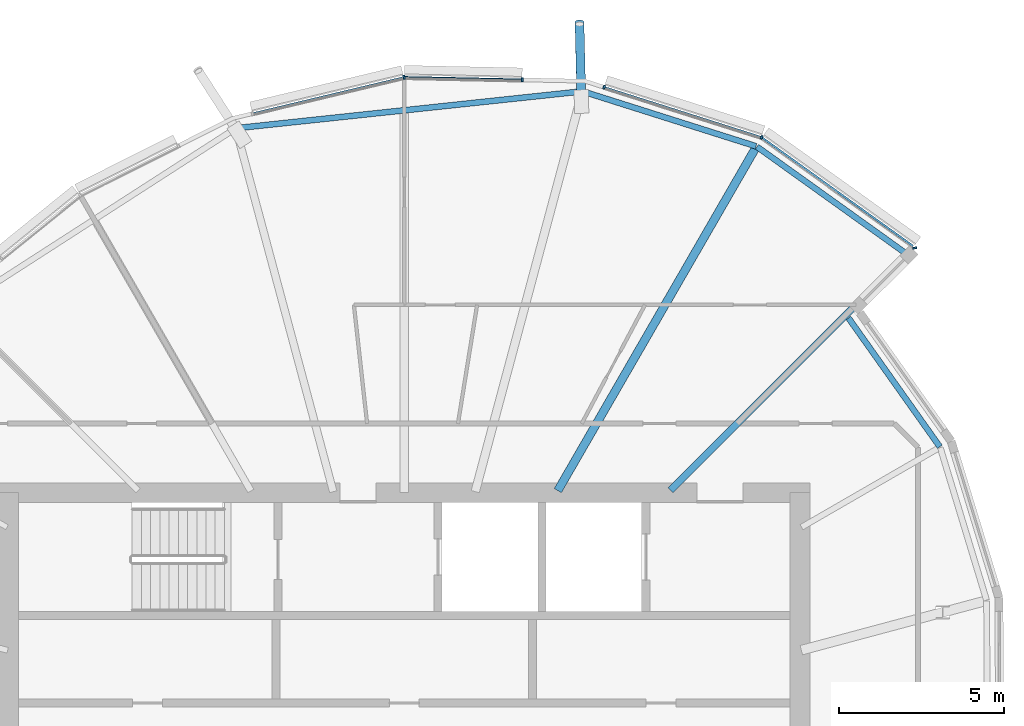
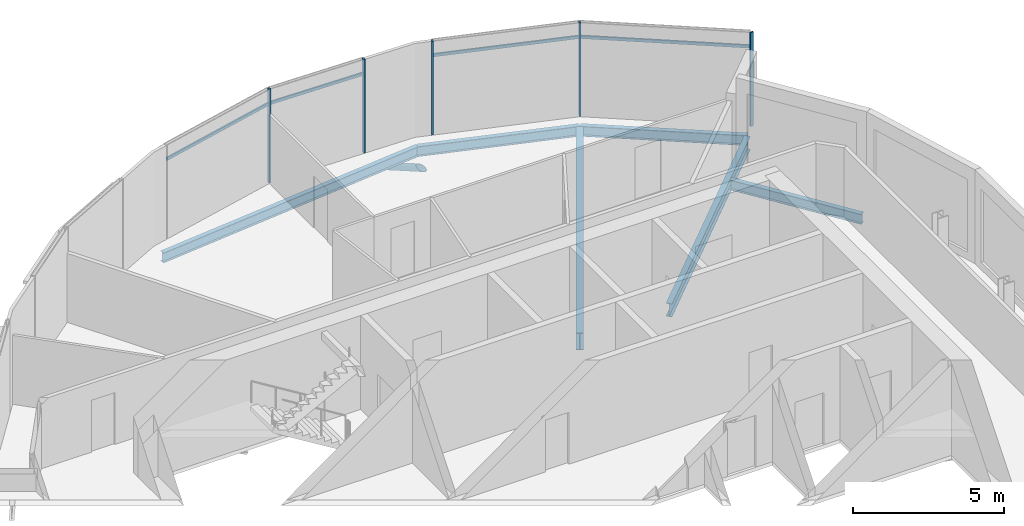
# One storey, part 17 of 38: 10 members, 6 beams, 1 element without a shape of its own.
"""IFC4 building model written with IfcOpenShell, lengths in metres."""

from ifc_helpers import new_model, si_unit, direction, frame, origin, origin_2d, place, context, subcontext, project, spatial, rectangle, hollow_circle, i_section, extrude, clip, halfspace, material, material_profile, profile_set, type_object, element, aggregate, save


model = new_model("IFC4")

# Units and contexts
model_context = context("Model", 3, precision=1e-05, world=origin(), true_north=direction((0.0, 1.0)))
body_context = subcontext(model_context, "Body", "Model", "MODEL_VIEW")
ifc_project = project(units=[si_unit("LENGTHUNIT", "METRE"), si_unit("AREAUNIT", "SQUARE_METRE"), si_unit("VOLUMEUNIT", "CUBIC_METRE"), si_unit("PLANEANGLEUNIT", "RADIAN"), si_unit("MASSUNIT", "GRAM", prefix="KILO")], contexts=[model_context])

# Site, building, storey
site_placement = place(None, origin())
site = spatial("IfcSite", under=ifc_project, at=site_placement, CompositionType="ELEMENT")
building_placement = place(site_placement, origin())
building = spatial("IfcBuilding", under=site, at=building_placement, Name="Rimbun Link Towers", CompositionType="ELEMENT")
storey_placement = place(building_placement, frame((0.0, 0.0, 185.5)))
storey = spatial("IfcBuildingStorey", under=building, at=storey_placement, Name="L45", CompositionType="ELEMENT", Elevation=185.5)

# Curtain wall, members
ifc_material_1 = material(Name="Aluminium 6063-T6 and low-iron glass", Category="aluminium")
curtain_wall_type = type_object("IfcCurtainWallType", Name="CW1-Z3 unitised vision wall (zone 3)", PredefinedType="NOTDEFINED", material=ifc_material_1)
curtain_wall_placement = place(storey_placement, origin())
curtain_wall = element("IfcCurtainWall", 1, at=curtain_wall_placement, inside=storey, type_object=curtain_wall_type, Name="CW1 L45 T2", PredefinedType="NOTDEFINED")
ifc_material_2 = material(Name="Aluminium 6063-T6", Category="aluminium")
ifc_material_profile_1 = material_profile(ifc_material_2, rectangle(XDim=0.1201171875, YDim=0.06005859375, at=origin_2d()), Name="MULLION 60X120")
ifc_profile_set_1 = profile_set([ifc_material_profile_1], Name="Aluminium 6063-T6")
member_type_1 = type_object("IfcMemberType", Name="CW1 mullion 60X120", PredefinedType="MULLION", material=ifc_profile_set_1)
member_1_placement = place(storey_placement, frame((42.585693359375, 18.775146484375, 0.0), z_axis=(0.0, 0.0, 1.0), x_axis=(0.448570265211, 0.893747569042, 0.0)))
member_1 = element("IfcMember", 2, at=member_1_placement, type_object=member_type_1, Name="CW1 mullion", PredefinedType="MULLION", context=body_context, shape_type="SweptSolid", body=[
    extrude(rectangle(XDim=0.1201171875, YDim=0.06005859375, at=origin_2d()), origin(), (0.0, 0.0, 1.0), 3.800048828125),
])
member_2_placement = place(storey_placement, frame((47.225341796875, 15.42041015625, 0.0), z_axis=(0.0, 0.0, 1.0), x_axis=(0.996682210404, 0.081391470465, 0.0)))
member_2 = element("IfcMember", 3, at=member_2_placement, type_object=member_type_1, Name="CW1 mullion", PredefinedType="MULLION", context=body_context, shape_type="SweptSolid", body=[
    extrude(rectangle(XDim=0.1201171875, YDim=0.06005859375, at=origin_2d()), origin(), (0.0, 0.0, 1.0), 3.800048828125),
])
member_3_placement = place(storey_placement, frame((37.811279296875, 20.294189453125, 0.0), z_axis=(0.0, 0.0, 1.0), x_axis=(0.303053318374, 0.95297360206, 0.0)))
member_3 = element("IfcMember", 4, at=member_3_placement, type_object=member_type_1, Name="CW1 mullion", PredefinedType="MULLION", context=body_context, shape_type="SweptSolid", body=[
    extrude(rectangle(XDim=0.1201171875, YDim=0.06005859375, at=origin_2d()), origin(), (0.0, 0.0, 1.0), 3.800048828125),
])
member_4_placement = place(storey_placement, frame((31.74365234375, 20.59375, 0.0), z_axis=(0.0, 0.0, 1.0), x_axis=(-0.10663447407, 0.99429828972, 0.0)))
member_4 = element("IfcMember", 5, at=member_4_placement, type_object=member_type_1, Name="CW1 mullion", PredefinedType="MULLION", context=body_context, shape_type="SweptSolid", body=[
    extrude(rectangle(XDim=0.1201171875, YDim=0.06005859375, at=origin_2d()), origin(), (0.0, 0.0, 1.0), 3.800048828125),
])
member_5_placement = place(storey_placement, frame((35.322998046875, 20.518798828125, 0.0), z_axis=(0.0, 0.0, 1.0), x_axis=(0.02106930936, 0.999778017463, 0.0)))
member_5 = element("IfcMember", 6, at=member_5_placement, type_object=member_type_1, Name="CW1 mullion", PredefinedType="MULLION", context=body_context, shape_type="SweptSolid", body=[
    extrude(rectangle(XDim=0.1201171875, YDim=0.06005859375, at=origin_2d()), origin(), (0.0, 0.0, 1.0), 3.800048828125),
])
ifc_material_3 = material(Name="Aluminium 6063-T6", Category="aluminium")
ifc_material_profile_2 = material_profile(ifc_material_3, rectangle(XDim=0.06005859375, YDim=0.1201171875, at=origin_2d()), Name="TRANSOM 60X120")
ifc_profile_set_2 = profile_set([ifc_material_profile_2], Name="Aluminium 6063-T6")
member_type_2 = type_object("IfcMemberType", Name="CW1 transom 60X120", PredefinedType="USERDEFINED", material=ifc_profile_set_2)
member_6_placement = place(storey_placement, frame((42.616943359375, 18.7509765625, 3.199951171875), z_axis=(0.812470137953, -0.583002808685, 0.0), x_axis=(0.583002808685, 0.812470137953, 0.0)))
member_6 = element("IfcMember", 7, at=member_6_placement, type_object=member_type_2, Name="CW1 transom", ObjectType="TRANSOM", PredefinedType="USERDEFINED", context=body_context, shape_type="SweptSolid", body=[
    extrude(rectangle(XDim=0.06005859375, YDim=0.1201171875, at=origin_2d()), origin(), (0.0, 0.0, 1.0), 5.610107421875),
])
member_7_placement = place(storey_placement, frame((37.839111328125, 20.283203125, 3.199951171875), z_axis=(0.952965355293, -0.303079249721, 0.0), x_axis=(0.303079249721, 0.952965355293, 0.0)))
member_7 = element("IfcMember", 8, at=member_7_placement, type_object=member_type_2, Name="CW1 transom", ObjectType="TRANSOM", PredefinedType="USERDEFINED", context=body_context, shape_type="SweptSolid", body=[
    extrude(rectangle(XDim=0.06005859375, YDim=0.1201171875, at=origin_2d()), origin(), (0.0, 0.0, 1.0), 4.941162109375),
])
member_8_placement = place(storey_placement, frame((31.78125, 20.591552734375, 3.199951171875), z_axis=(0.999776739259, -0.021129875468, 0.0), x_axis=(0.021129875468, 0.999776739259, 0.0)))
member_8 = element("IfcMember", 9, at=member_8_placement, type_object=member_type_2, Name="CW1 transom", ObjectType="TRANSOM", PredefinedType="USERDEFINED", context=body_context, shape_type="SweptSolid", body=[
    extrude(rectangle(XDim=0.06005859375, YDim=0.1201171875, at=origin_2d()), origin(), (0.0, 0.0, 1.0), 3.512451171875),
])
member_9_placement = place(storey_placement, frame((27.178466796875, 19.50048828125, 3.199951171875), z_axis=(0.972577344747, 0.232579682011, 0.0), x_axis=(-0.232579682011, 0.972577344747, 0.0)))
member_9 = element("IfcMember", 10, at=member_9_placement, type_object=member_type_2, Name="CW1 transom", ObjectType="TRANSOM", PredefinedType="USERDEFINED", context=body_context, shape_type="SweptSolid", body=[
    extrude(rectangle(XDim=0.06005859375, YDim=0.1201171875, at=origin_2d()), origin(), (0.0, 0.0, 1.0), 4.656494140625),
])
aggregate(curtain_wall, [member_1, member_2, member_3, member_4, member_5, member_6, member_7, member_8, member_9])

# Member
ifc_material_4 = material(Name="Steel S355J2H", Category="steel")
ifc_material_profile_3 = material_profile(ifc_material_4, hollow_circle(Radius=0.136474609375, WallThickness=0.012451171875, at=origin_2d()), Name="CHS 273x12.5")
ifc_profile_set_3 = profile_set([ifc_material_profile_3], Name="Steel S355J2H")
member_type_3 = type_object("IfcMemberType", Name="Floor edge link CHS 273x12.5", PredefinedType="BRACE", material=ifc_profile_set_3)
member_10_placement = place(storey_placement, frame((37.118408203125, 20.034912109375, -0.951904296875), z_axis=(-0.021425173015, 0.870052470377, -0.492493310363), x_axis=(-0.999696938807, -0.02461768756, 0.0)))
element("IfcMember", 11, at=member_10_placement, inside=storey, type_object=member_type_3, Name="Floor edge link T2 L45 02", PredefinedType="BRACE", context=body_context, shape_type="Clipping", body=[
    clip(extrude(hollow_circle(Radius=0.136474609375, WallThickness=0.012451171875, at=origin_2d()), frame((0.0, 0.0, -0.502685546875)), (0.0, 0.0, 1.0), 3.066650390625), halfspace(frame((0.0, 0.0, -0.236328125), z_axis=(0.0, 0.870316229452, -0.492493310363)), False)),
])

# Beams
ifc_material_5 = material(Name="Steel S355J2", Category="steel")
ifc_material_profile_4 = material_profile(ifc_material_5, i_section(OverallWidth=0.177978515625, OverallDepth=0.406494140625, WebThickness=0.0078125, FlangeThickness=0.0126953125, at=origin_2d()), Name="UB 406x178x60")
ifc_profile_set_4 = profile_set([ifc_material_profile_4], Name="Steel S355J2")
beam_type_1 = type_object("IfcBeamType", Name="UB 406x178x60", PredefinedType="BEAM", material=ifc_profile_set_4)
beam_1_placement = place(storey_placement, frame((46.985595703125, 15.237060546875, -0.353271484375), z_axis=(-0.812947439781, 0.582337067473, 0.0), x_axis=(-0.582337067473, -0.812947439781, 0.0)))
element("IfcBeam", 12, at=beam_1_placement, inside=storey, type_object=beam_type_1, Name="Edge beam T2 L45 00", PredefinedType="BEAM", context=body_context, shape_type="SweptSolid", body=[
    extrude(i_section(OverallWidth=0.177978515625, OverallDepth=0.406494140625, WebThickness=0.0078125, FlangeThickness=0.0126953125, at=origin_2d()), origin(), (0.0, 0.0, 1.0), 5.587646484375),
])
beam_2_placement = place(storey_placement, frame((42.41650390625, 18.50439453125, -0.353271484375), z_axis=(-0.953365778591, 0.301817315957, 0.0), x_axis=(-0.301817315957, -0.953365778591, 0.0)))
element("IfcBeam", 13, at=beam_2_placement, inside=storey, type_object=beam_type_1, Name="Edge beam T2 L45 01", PredefinedType="BEAM", context=body_context, shape_type="SweptSolid", body=[
    extrude(i_section(OverallWidth=0.177978515625, OverallDepth=0.406494140625, WebThickness=0.0078125, FlangeThickness=0.0126953125, at=origin_2d()), origin(), (0.0, 0.0, 1.0), 5.518310546875),
])
beam_3_placement = place(storey_placement, frame((37.153564453125, 20.169921875, -0.353271484375), z_axis=(-0.994377876198, -0.105889750818, 0.0), x_axis=(0.105889750818, -0.994377876198, 0.0)))
element("IfcBeam", 14, at=beam_3_placement, inside=storey, type_object=beam_type_1, Name="Edge beam T2 L45 02-04", PredefinedType="BEAM", context=body_context, shape_type="SweptSolid", body=[
    extrude(i_section(OverallWidth=0.177978515625, OverallDepth=0.406494140625, WebThickness=0.0078125, FlangeThickness=0.0126953125, at=origin_2d()), origin(), (0.0, 0.0, 1.0), 10.451416015625),
])
beam_4_placement = place(storey_placement, frame((47.988525390625, 9.39306640625, -0.353271484375), z_axis=(-0.578533655818, 0.815658512544, 0.0), x_axis=(-0.815658512544, -0.578533655818, 0.0)))
element("IfcBeam", 15, at=beam_4_placement, inside=storey, type_object=beam_type_1, Name="Edge beam T2 L45 23 recess", PredefinedType="BEAM", context=body_context, shape_type="SweptSolid", body=[
    extrude(i_section(OverallWidth=0.177978515625, OverallDepth=0.406494140625, WebThickness=0.0078125, FlangeThickness=0.0126953125, at=origin_2d()), origin(), (0.0, 0.0, 1.0), 4.78759765625),
])
ifc_material_6 = material(Name="Steel S355J2", Category="steel")
ifc_material_profile_5 = material_profile(ifc_material_6, i_section(OverallWidth=0.209228515625, OverallDepth=0.533203125, WebThickness=0.010009765625, FlangeThickness=0.015625, at=origin_2d()), Name="UB 533x210x92")
ifc_profile_set_5 = profile_set([ifc_material_profile_5], Name="Steel S355J2")
beam_type_2 = type_object("IfcBeamType", Name="UB 533x210x92", PredefinedType="BEAM", material=ifc_profile_set_5)
beam_5_placement = place(storey_placement, frame((39.82470703125, 8.07470703125, -0.41650390625), z_axis=(0.707106781187, 0.707106781187, 0.0), x_axis=(-0.707106781187, 0.707106781187, 0.0)))
element("IfcBeam", 16, at=beam_5_placement, inside=storey, type_object=beam_type_2, Name="Radial beam T2 L45 00", PredefinedType="BEAM", context=body_context, shape_type="SweptSolid", body=[
    extrude(i_section(OverallWidth=0.209228515625, OverallDepth=0.533203125, WebThickness=0.010009765625, FlangeThickness=0.015625, at=origin_2d()), origin(), (0.0, 0.0, 1.0), 10.037353515625),
])
ifc_material_7 = material(Name="Steel S355J2", Category="steel")
ifc_material_profile_6 = material_profile(ifc_material_7, i_section(OverallWidth=0.253662109375, OverallDepth=0.68359375, WebThickness=0.012451171875, FlangeThickness=0.01904296875, at=origin_2d()), Name="UB 686x254x140")
ifc_profile_set_6 = profile_set([ifc_material_profile_6], Name="Steel S355J2")
beam_type_3 = type_object("IfcBeamType", Name="UB 686x254x140", PredefinedType="BEAM", material=ifc_profile_set_6)
beam_6_placement = place(storey_placement, frame((36.406005859375, 8.064208984375, -0.49169921875), z_axis=(0.499992225123, 0.866029892565, 0.0), x_axis=(-0.866029892565, 0.499992225123, 0.0)))
element("IfcBeam", 17, at=beam_6_placement, inside=storey, type_object=beam_type_3, Name="Radial beam T2 L45 01", PredefinedType="BEAM", context=body_context, shape_type="SweptSolid", body=[
    extrude(i_section(OverallWidth=0.253662109375, OverallDepth=0.68359375, WebThickness=0.012451171875, FlangeThickness=0.01904296875, at=origin_2d()), origin(), (0.0, 0.0, 1.0), 11.959716796875),
])

save(model, "model.ifc")
